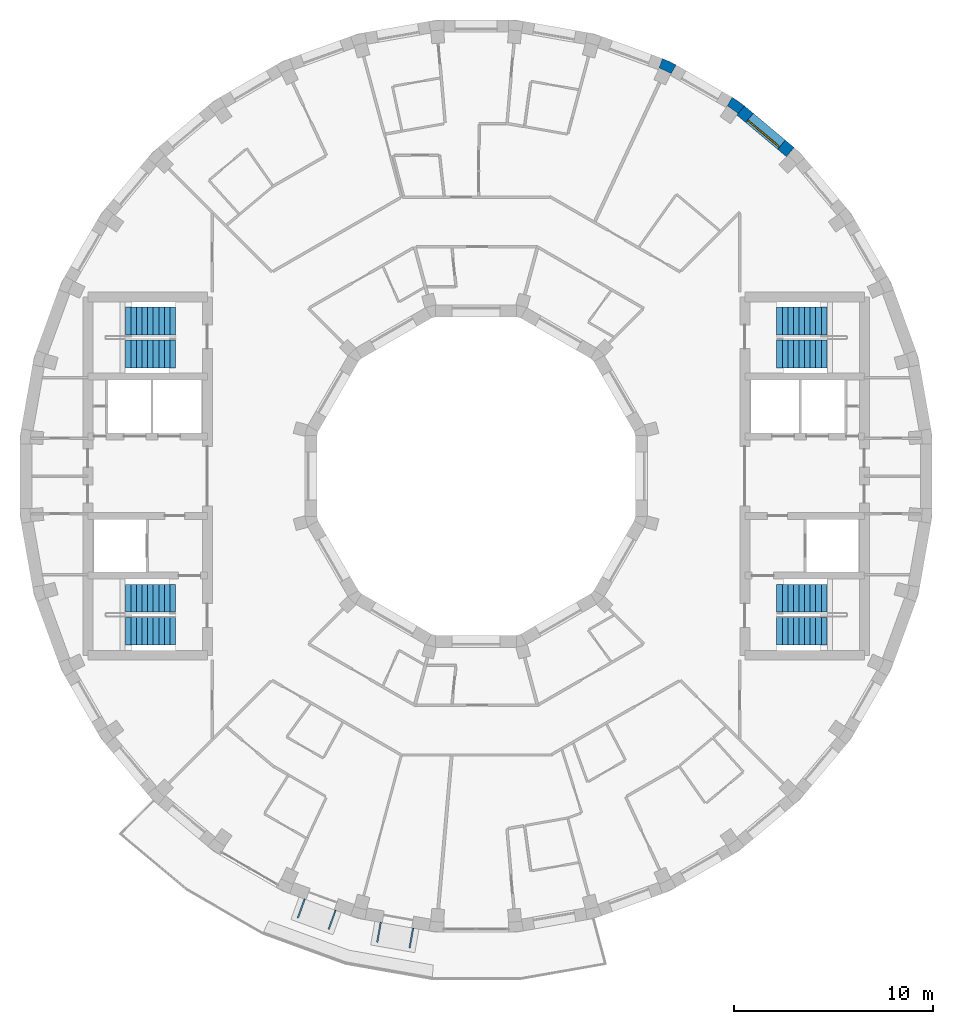
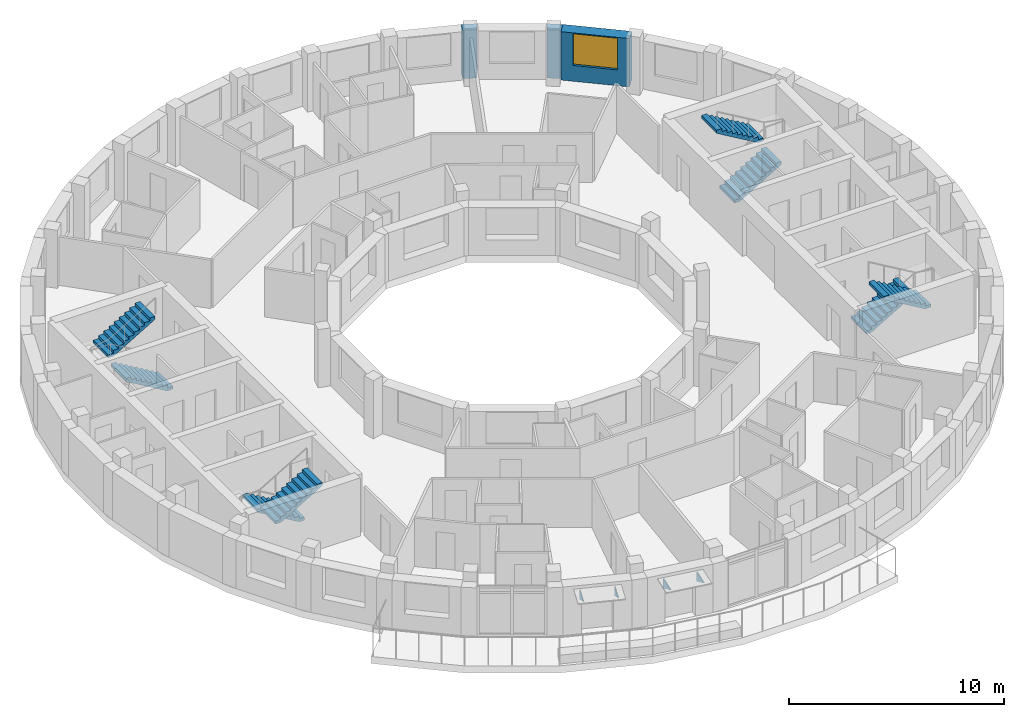
# One storey, part 11 of 12: 8 stair flights, 4 discrete accessories, 3 walls, 1 window, 1 opening, 4 elements without a shape of their own.
"""IFC4 building model written with IfcOpenShell, lengths in metres."""

from ifc_helpers import new_model, si_unit, direction, frame, frame_2d, origin, place, context, subcontext, project, spatial, polyline, rectangle, outline, extrude, material, layer, layer_set, type_object, element, fill, aggregate, save


model = new_model("IFC4")

# Units and contexts
model_context = context("Model", 3, precision=1e-05, world=origin(), true_north=direction((0.0, 1.0)))
body_context = subcontext(model_context, "Body", "Model", "MODEL_VIEW")
ifc_project = project(units=[si_unit("LENGTHUNIT", "METRE"), si_unit("AREAUNIT", "SQUARE_METRE"), si_unit("VOLUMEUNIT", "CUBIC_METRE"), si_unit("PLANEANGLEUNIT", "RADIAN"), si_unit("MASSUNIT", "GRAM", prefix="KILO")], contexts=[model_context])

# Site, building, storey
site_placement = place(None, origin())
site = spatial("IfcSite", under=ifc_project, at=site_placement, CompositionType="ELEMENT")
building_placement = place(site_placement, origin())
building = spatial("IfcBuilding", under=site, at=building_placement, Name="Saqina Gate Tower", CompositionType="ELEMENT")
storey_placement = place(building_placement, frame((0.0, 0.0, 275.89990234375)))
storey = spatial("IfcBuildingStorey", under=building, at=storey_placement, Name="L79", CompositionType="ELEMENT", Elevation=275.89990234375)

# Walls
ifc_material_1 = material(Name="Brick masonry (buff)", Category="masonry")
wall_type_1 = type_object("IfcWallType", Name="BRICK PIER COPING BUFF", PredefinedType="SOLIDWALL", material=ifc_material_1)
wall_1_placement = place(storey_placement, origin())
element("IfcWall", 1, at=wall_1_placement, inside=storey, type_object=wall_type_1, Name="Pier cap L79 column 6", PredefinedType="SOLIDWALL", context=body_context, shape_type="SweptSolid", body=[
    extrude(outline(polyline([(12.8642578125, 19.02978515625), (12.564208984375, 18.51025390625), (12.625, 18.596923828125), (13.157470703125, 18.22412109375), (13.0966796875, 18.137451171875), (13.482421875, 18.59716796875), (12.8642578125, 19.02978515625)])), origin(), (0.0, 0.0, 1.0), 2.75),
])
wall_2_placement = place(storey_placement, origin())
element("IfcWall", 2, at=wall_2_placement, inside=storey, type_object=wall_type_1, Name="Pier cap L79 column 7", PredefinedType="SOLIDWALL", context=body_context, shape_type="SweptSolid", body=[
    extrude(outline(polyline([(10.048095703125, 20.65576171875), (9.3642578125, 20.974609375), (9.1591796875, 20.410888671875), (9.203857421875, 20.506591796875), (9.79296875, 20.23193359375), (9.748291015625, 20.135986328125), (10.048095703125, 20.65576171875)])), origin(), (0.0, 0.0, 1.0), 2.75),
])

# Wall, opening, window
ifc_material_2 = material(Name="Brick masonry (buff)", Category="masonry")
ifc_layer_1 = layer(ifc_material_2, 0.60009765625)
ifc_layer_set_1 = layer_set([ifc_layer_1], Name="FW-BRICK-BUFF")
wall_type_2 = type_object("IfcWallType", Name="FW-BRICK-BUFF", PredefinedType="SOLIDWALL", material=ifc_layer_set_1)
wall_3_placement = place(storey_placement, frame((15.780517578125, 16.277099609375, 0.0), z_axis=(0.0, 0.0, 1.0), x_axis=(-0.766056773982, 0.64277291405, 0.0)))
wall_3 = element("IfcWall", 3, at=wall_3_placement, inside=storey, type_object=wall_type_2, Name="Facade wall L79 facet 5", PredefinedType="SOLIDWALL", context=body_context, shape_type="SweptSolid", body=[
    extrude(rectangle(XDim=3.251708984375, YDim=0.60009765625, at=frame_2d((1.6259765625, 0.0))), origin(), (0.0, 0.0, 1.0), 2.75),
])
opening_placement = place(wall_3_placement, frame((0.57568359375, 0.0, 0.89990234375)))
opening = element("IfcOpeningElement", 4, at=opening_placement, cuts=wall_3, Name="Opening G23-W03", PredefinedType="OPENING", context=body_context, shape_type="SweptSolid", body=[
    extrude(rectangle(XDim=2.10009765625, YDim=1.800048828125, at=frame_2d((1.050048828125, 0.89990234375))), frame((0.0, 0.31201171875, 0.0), z_axis=(0.0, -1.0, 0.0), x_axis=(1.0, 0.0, 0.0)), (0.0, 0.0, 1.0), 0.6240234375),
])
ifc_material_3 = material(Name="Aluminium glazing", Category="aluminium")
window_type = type_object("IfcWindowType", Name="WN-D", PartitioningType="SINGLE_PANEL", PredefinedType="WINDOW", material=ifc_material_3)
window_placement = place(opening_placement, origin())
window = element("IfcWindow", 5, at=window_placement, inside=storey, type_object=window_type, Name="Window L79 facet 5", OverallHeight=1.800048828125, OverallWidth=2.10009765625, PartitioningType="SINGLE_PANEL", PredefinedType="WINDOW", context=body_context, shape_type="SweptSolid", body=[
    extrude(rectangle(XDim=2.10009765625, YDim=1.800048828125, at=frame_2d((1.050048828125, 0.89990234375))), frame((0.0, 0.179931640625, 0.0), z_axis=(0.0, -1.0, 0.0), x_axis=(1.0, 0.0, 0.0)), (0.0, 0.0, 1.0), 0.06005859375),
])
fill(opening, window)

# Stair, stair flights
ifc_material_4 = material(Name="Concrete C40/50", Category="concrete")
stair_type = type_object("IfcStairType", Name="EXIT STAIR", PredefinedType="HALF_TURN_STAIR", material=ifc_material_4)
stair_1_placement = place(storey_placement, origin())
stair_1 = element("IfcStair", 6, at=stair_1_placement, inside=storey, type_object=stair_type, Name="EXIT STAIR 1", PredefinedType="HALF_TURN_STAIR")
ifc_material_5 = material(Name="Concrete C40/50", Category="concrete")
stair_flight_type = type_object("IfcStairFlightType", Name="EXIT STAIR FLIGHT", PredefinedType="STRAIGHT", material=ifc_material_5)
stair_flight_1_placement = place(storey_placement, frame((15.10009765625, 6.13330078125, 0.0), z_axis=(0.0, 0.0, 1.0), x_axis=(1.0, 0.0, 0.0)))
stair_flight_1 = element("IfcStairFlight", 7, at=stair_flight_1_placement, type_object=stair_flight_type, Name="EXIT STAIR 1 FLIGHT 1", NumberOfRisers=10, NumberOfTreads=9, PredefinedType="STRAIGHT", RiserHeight=0.165, TreadLength=0.28, context=body_context, shape_type="SweptSolid", body=[
    extrude(outline(polyline([(0.0, 0.0), (0.0, 0.1650390625), (0.280029296875, 0.1650390625), (0.280029296875, 0.330078125), (0.56005859375, 0.330078125), (0.56005859375, 0.4951171875), (0.840087890625, 0.4951171875), (0.840087890625, 0.659912109375), (1.1201171875, 0.659912109375), (1.1201171875, 0.824951171875), (1.39990234375, 0.824951171875), (1.39990234375, 0.989990234375), (1.679931640625, 0.989990234375), (1.679931640625, 1.155029296875), (1.9599609375, 1.155029296875), (1.9599609375, 1.320068359375), (2.239990234375, 1.320068359375), (2.239990234375, 1.485107421875), (2.52001953125, 1.485107421875), (2.52001953125, 1.64990234375), (2.52001953125, 1.31103515625), (0.295166015625, 0.0), (0.0, 0.0)])), frame((0.0, 0.699951171875, 0.0), z_axis=(0.0, -1.0, 0.0), x_axis=(1.0, 0.0, 0.0)), (0.0, 0.0, 1.0), 1.39990234375),
])
stair_flight_2_placement = place(storey_placement, frame((17.6201171875, 7.791748046875, 1.650146484375), z_axis=(0.0, 0.0, 1.0), x_axis=(-1.0, 0.0, 0.0)))
stair_flight_2 = element("IfcStairFlight", 8, at=stair_flight_2_placement, type_object=stair_flight_type, Name="EXIT STAIR 1 FLIGHT 2", NumberOfRisers=10, NumberOfTreads=9, PredefinedType="STRAIGHT", RiserHeight=0.165, TreadLength=0.28, context=body_context, shape_type="SweptSolid", body=[
    extrude(outline(polyline([(0.0, 0.0), (0.0, 0.1650390625), (0.280029296875, 0.1650390625), (0.280029296875, 0.330078125), (0.56005859375, 0.330078125), (0.56005859375, 0.4951171875), (0.840087890625, 0.4951171875), (0.840087890625, 0.659912109375), (1.1201171875, 0.659912109375), (1.1201171875, 0.824951171875), (1.39990234375, 0.824951171875), (1.39990234375, 0.989990234375), (1.679931640625, 0.989990234375), (1.679931640625, 1.155029296875), (1.9599609375, 1.155029296875), (1.9599609375, 1.320068359375), (2.239990234375, 1.320068359375), (2.239990234375, 1.485107421875), (2.52001953125, 1.485107421875), (2.52001953125, 1.64990234375), (2.52001953125, 1.31103515625), (0.295166015625, 0.0), (0.0, 0.0)])), frame((0.0, 0.699951171875, 0.0), z_axis=(0.0, -1.0, 0.0), x_axis=(1.0, 0.0, 0.0)), (0.0, 0.0, 1.0), 1.39990234375),
])
aggregate(stair_1, [stair_flight_1, stair_flight_2])

stair_2_placement = place(storey_placement, origin())
stair_2 = element("IfcStair", 9, at=stair_2_placement, inside=storey, type_object=stair_type, Name="EXIT STAIR 2", PredefinedType="HALF_TURN_STAIR")
stair_flight_3_placement = place(storey_placement, frame((15.10009765625, -6.13330078125, 0.0), z_axis=(0.0, 0.0, 1.0), x_axis=(1.0, 0.0, 0.0)))
stair_flight_3 = element("IfcStairFlight", 10, at=stair_flight_3_placement, type_object=stair_flight_type, Name="EXIT STAIR 2 FLIGHT 1", NumberOfRisers=10, NumberOfTreads=9, PredefinedType="STRAIGHT", RiserHeight=0.165, TreadLength=0.28, context=body_context, shape_type="SweptSolid", body=[
    extrude(outline(polyline([(0.0, 0.0), (0.0, 0.1650390625), (0.280029296875, 0.1650390625), (0.280029296875, 0.330078125), (0.56005859375, 0.330078125), (0.56005859375, 0.4951171875), (0.840087890625, 0.4951171875), (0.840087890625, 0.659912109375), (1.1201171875, 0.659912109375), (1.1201171875, 0.824951171875), (1.39990234375, 0.824951171875), (1.39990234375, 0.989990234375), (1.679931640625, 0.989990234375), (1.679931640625, 1.155029296875), (1.9599609375, 1.155029296875), (1.9599609375, 1.320068359375), (2.239990234375, 1.320068359375), (2.239990234375, 1.485107421875), (2.52001953125, 1.485107421875), (2.52001953125, 1.64990234375), (2.52001953125, 1.31103515625), (0.295166015625, 0.0), (0.0, 0.0)])), frame((0.0, 0.699951171875, 0.0), z_axis=(0.0, -1.0, 0.0), x_axis=(1.0, 0.0, 0.0)), (0.0, 0.0, 1.0), 1.39990234375),
])
stair_flight_4_placement = place(storey_placement, frame((17.6201171875, -7.791748046875, 1.650146484375), z_axis=(0.0, 0.0, 1.0), x_axis=(-1.0, 0.0, 0.0)))
stair_flight_4 = element("IfcStairFlight", 11, at=stair_flight_4_placement, type_object=stair_flight_type, Name="EXIT STAIR 2 FLIGHT 2", NumberOfRisers=10, NumberOfTreads=9, PredefinedType="STRAIGHT", RiserHeight=0.165, TreadLength=0.28, context=body_context, shape_type="SweptSolid", body=[
    extrude(outline(polyline([(0.0, 0.0), (0.0, 0.1650390625), (0.280029296875, 0.1650390625), (0.280029296875, 0.330078125), (0.56005859375, 0.330078125), (0.56005859375, 0.4951171875), (0.840087890625, 0.4951171875), (0.840087890625, 0.659912109375), (1.1201171875, 0.659912109375), (1.1201171875, 0.824951171875), (1.39990234375, 0.824951171875), (1.39990234375, 0.989990234375), (1.679931640625, 0.989990234375), (1.679931640625, 1.155029296875), (1.9599609375, 1.155029296875), (1.9599609375, 1.320068359375), (2.239990234375, 1.320068359375), (2.239990234375, 1.485107421875), (2.52001953125, 1.485107421875), (2.52001953125, 1.64990234375), (2.52001953125, 1.31103515625), (0.295166015625, 0.0), (0.0, 0.0)])), frame((0.0, 0.699951171875, 0.0), z_axis=(0.0, -1.0, 0.0), x_axis=(1.0, 0.0, 0.0)), (0.0, 0.0, 1.0), 1.39990234375),
])
aggregate(stair_2, [stair_flight_3, stair_flight_4])

stair_3_placement = place(storey_placement, origin())
stair_3 = element("IfcStair", 12, at=stair_3_placement, inside=storey, type_object=stair_type, Name="EXIT STAIR 3", PredefinedType="HALF_TURN_STAIR")
stair_flight_5_placement = place(storey_placement, frame((-15.10009765625, 6.13330078125, 0.0), z_axis=(0.0, 0.0, 1.0), x_axis=(-1.0, 0.0, 0.0)))
stair_flight_5 = element("IfcStairFlight", 13, at=stair_flight_5_placement, type_object=stair_flight_type, Name="EXIT STAIR 3 FLIGHT 1", NumberOfRisers=10, NumberOfTreads=9, PredefinedType="STRAIGHT", RiserHeight=0.165, TreadLength=0.28, context=body_context, shape_type="SweptSolid", body=[
    extrude(outline(polyline([(0.0, 0.0), (0.0, 0.1650390625), (0.280029296875, 0.1650390625), (0.280029296875, 0.330078125), (0.56005859375, 0.330078125), (0.56005859375, 0.4951171875), (0.840087890625, 0.4951171875), (0.840087890625, 0.659912109375), (1.1201171875, 0.659912109375), (1.1201171875, 0.824951171875), (1.39990234375, 0.824951171875), (1.39990234375, 0.989990234375), (1.679931640625, 0.989990234375), (1.679931640625, 1.155029296875), (1.9599609375, 1.155029296875), (1.9599609375, 1.320068359375), (2.239990234375, 1.320068359375), (2.239990234375, 1.485107421875), (2.52001953125, 1.485107421875), (2.52001953125, 1.64990234375), (2.52001953125, 1.31103515625), (0.295166015625, 0.0), (0.0, 0.0)])), frame((0.0, 0.699951171875, 0.0), z_axis=(0.0, -1.0, 0.0), x_axis=(1.0, 0.0, 0.0)), (0.0, 0.0, 1.0), 1.39990234375),
])
stair_flight_6_placement = place(storey_placement, frame((-17.6201171875, 7.791748046875, 1.650146484375), z_axis=(0.0, 0.0, 1.0), x_axis=(1.0, 0.0, 0.0)))
stair_flight_6 = element("IfcStairFlight", 14, at=stair_flight_6_placement, type_object=stair_flight_type, Name="EXIT STAIR 3 FLIGHT 2", NumberOfRisers=10, NumberOfTreads=9, PredefinedType="STRAIGHT", RiserHeight=0.165, TreadLength=0.28, context=body_context, shape_type="SweptSolid", body=[
    extrude(outline(polyline([(0.0, 0.0), (0.0, 0.1650390625), (0.280029296875, 0.1650390625), (0.280029296875, 0.330078125), (0.56005859375, 0.330078125), (0.56005859375, 0.4951171875), (0.840087890625, 0.4951171875), (0.840087890625, 0.659912109375), (1.1201171875, 0.659912109375), (1.1201171875, 0.824951171875), (1.39990234375, 0.824951171875), (1.39990234375, 0.989990234375), (1.679931640625, 0.989990234375), (1.679931640625, 1.155029296875), (1.9599609375, 1.155029296875), (1.9599609375, 1.320068359375), (2.239990234375, 1.320068359375), (2.239990234375, 1.485107421875), (2.52001953125, 1.485107421875), (2.52001953125, 1.64990234375), (2.52001953125, 1.31103515625), (0.295166015625, 0.0), (0.0, 0.0)])), frame((0.0, 0.699951171875, 0.0), z_axis=(0.0, -1.0, 0.0), x_axis=(1.0, 0.0, 0.0)), (0.0, 0.0, 1.0), 1.39990234375),
])
aggregate(stair_3, [stair_flight_5, stair_flight_6])

stair_4_placement = place(storey_placement, origin())
stair_4 = element("IfcStair", 15, at=stair_4_placement, inside=storey, type_object=stair_type, Name="EXIT STAIR 4", PredefinedType="HALF_TURN_STAIR")
stair_flight_7_placement = place(storey_placement, frame((-15.10009765625, -6.13330078125, 0.0), z_axis=(0.0, 0.0, 1.0), x_axis=(-1.0, 0.0, 0.0)))
stair_flight_7 = element("IfcStairFlight", 16, at=stair_flight_7_placement, type_object=stair_flight_type, Name="EXIT STAIR 4 FLIGHT 1", NumberOfRisers=10, NumberOfTreads=9, PredefinedType="STRAIGHT", RiserHeight=0.165, TreadLength=0.28, context=body_context, shape_type="SweptSolid", body=[
    extrude(outline(polyline([(0.0, 0.0), (0.0, 0.1650390625), (0.280029296875, 0.1650390625), (0.280029296875, 0.330078125), (0.56005859375, 0.330078125), (0.56005859375, 0.4951171875), (0.840087890625, 0.4951171875), (0.840087890625, 0.659912109375), (1.1201171875, 0.659912109375), (1.1201171875, 0.824951171875), (1.39990234375, 0.824951171875), (1.39990234375, 0.989990234375), (1.679931640625, 0.989990234375), (1.679931640625, 1.155029296875), (1.9599609375, 1.155029296875), (1.9599609375, 1.320068359375), (2.239990234375, 1.320068359375), (2.239990234375, 1.485107421875), (2.52001953125, 1.485107421875), (2.52001953125, 1.64990234375), (2.52001953125, 1.31103515625), (0.295166015625, 0.0), (0.0, 0.0)])), frame((0.0, 0.699951171875, 0.0), z_axis=(0.0, -1.0, 0.0), x_axis=(1.0, 0.0, 0.0)), (0.0, 0.0, 1.0), 1.39990234375),
])
stair_flight_8_placement = place(storey_placement, frame((-17.6201171875, -7.791748046875, 1.650146484375), z_axis=(0.0, 0.0, 1.0), x_axis=(1.0, 0.0, 0.0)))
stair_flight_8 = element("IfcStairFlight", 17, at=stair_flight_8_placement, type_object=stair_flight_type, Name="EXIT STAIR 4 FLIGHT 2", NumberOfRisers=10, NumberOfTreads=9, PredefinedType="STRAIGHT", RiserHeight=0.165, TreadLength=0.28, context=body_context, shape_type="SweptSolid", body=[
    extrude(outline(polyline([(0.0, 0.0), (0.0, 0.1650390625), (0.280029296875, 0.1650390625), (0.280029296875, 0.330078125), (0.56005859375, 0.330078125), (0.56005859375, 0.4951171875), (0.840087890625, 0.4951171875), (0.840087890625, 0.659912109375), (1.1201171875, 0.659912109375), (1.1201171875, 0.824951171875), (1.39990234375, 0.824951171875), (1.39990234375, 0.989990234375), (1.679931640625, 0.989990234375), (1.679931640625, 1.155029296875), (1.9599609375, 1.155029296875), (1.9599609375, 1.320068359375), (2.239990234375, 1.320068359375), (2.239990234375, 1.485107421875), (2.52001953125, 1.485107421875), (2.52001953125, 1.64990234375), (2.52001953125, 1.31103515625), (0.295166015625, 0.0), (0.0, 0.0)])), frame((0.0, 0.699951171875, 0.0), z_axis=(0.0, -1.0, 0.0), x_axis=(1.0, 0.0, 0.0)), (0.0, 0.0, 1.0), 1.39990234375),
])
aggregate(stair_4, [stair_flight_7, stair_flight_8])

# Discrete accessories
ifc_material_6 = material(Name="Galvanised steel", Category="steel")
ifc_layer_2 = layer(ifc_material_6, 0.050048828125)
ifc_layer_set_2 = layer_set([ifc_layer_2], Name="BR-AWNING")
discrete_accessory_type = type_object("IfcDiscreteAccessoryType", Name="BR-AWNING", PredefinedType="BRACKET", material=ifc_layer_set_2)
discrete_accessory_1_placement = place(storey_placement, frame((-8.589111328125, -21.2568359375, 1.97509765625), z_axis=(0.939686455819, -0.342037080957, 0.0), x_axis=(0.0, 0.0, 1.0)))
element("IfcDiscreteAccessory", 18, at=discrete_accessory_1_placement, inside=storey, type_object=discrete_accessory_type, Name="Awning bracket L79 facet 25", PredefinedType="BRACKET", context=body_context, shape_type="SweptSolid", body=[
    extrude(outline(polyline([(0.0, 0.0), (0.550048828125, 0.0), (0.550048828125, 1.000011503630275), (0.0, 0.0)])), origin(), (0.0, 0.0, -1.0), 0.050048828125),
])
discrete_accessory_2_placement = place(storey_placement, frame((-7.037109375, -21.82177734375, 1.97509765625), z_axis=(0.939764905391, -0.341821477669, 0.0), x_axis=(0.0, 0.0, 1.0)))
element("IfcDiscreteAccessory", 19, at=discrete_accessory_2_placement, inside=storey, type_object=discrete_accessory_type, Name="Awning bracket L79 facet 25", PredefinedType="BRACKET", context=body_context, shape_type="SweptSolid", body=[
    extrude(outline(polyline([(0.0, 0.0), (0.550048828125, 0.0), (0.550048828125, 0.9999280248012192), (0.0, 0.0)])), origin(), (0.0, 0.0, -1.0), 0.050048828125),
])
for number, where, z_axis, x_axis, name in (
    (20, (-4.767333984375, -22.42529296875, 1.97509765625), (0.984820401928, -0.173576426815, 0.0), (0.0, 0.0, 1.0), "Awning bracket L79 facet 26"),
    (21, (-3.140869140625, -22.712158203125, 1.97509765625), (0.984820401928, -0.173576426815, 0.0), (0.0, 0.0, 1.0), "Awning bracket L79 facet 26"),
):
    element("IfcDiscreteAccessory", number, at=place(storey_placement, frame(where, z_axis=z_axis, x_axis=x_axis)), inside=storey, type_object=discrete_accessory_type, Name=name, PredefinedType="BRACKET", context=body_context, shape_type="SweptSolid", body=[
        extrude(outline(polyline([(0.0, 0.0), (0.550048828125, 0.0), (0.550048828125, 1.000043540245132), (0.0, 0.0)])), origin(), (0.0, 0.0, -1.0), 0.050048828125),
    ])

save(model, "model.ifc")
